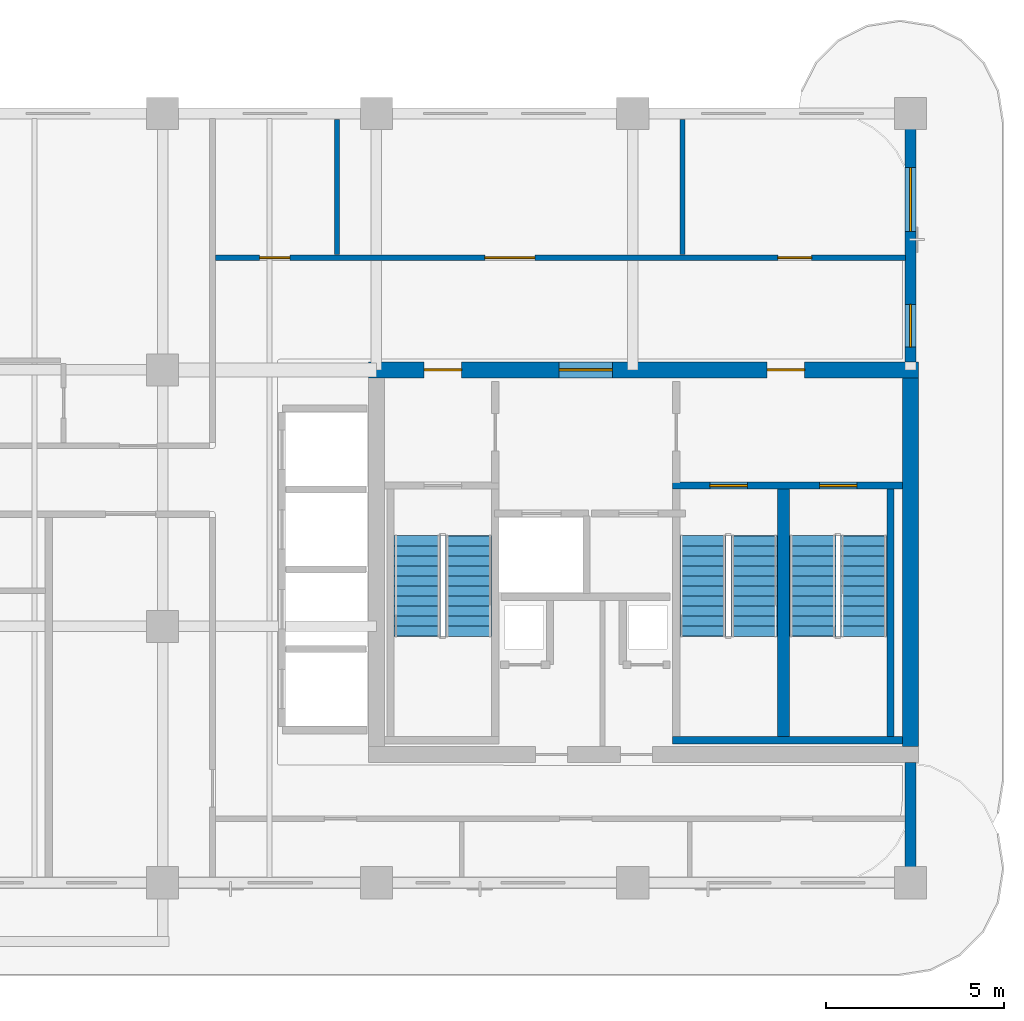
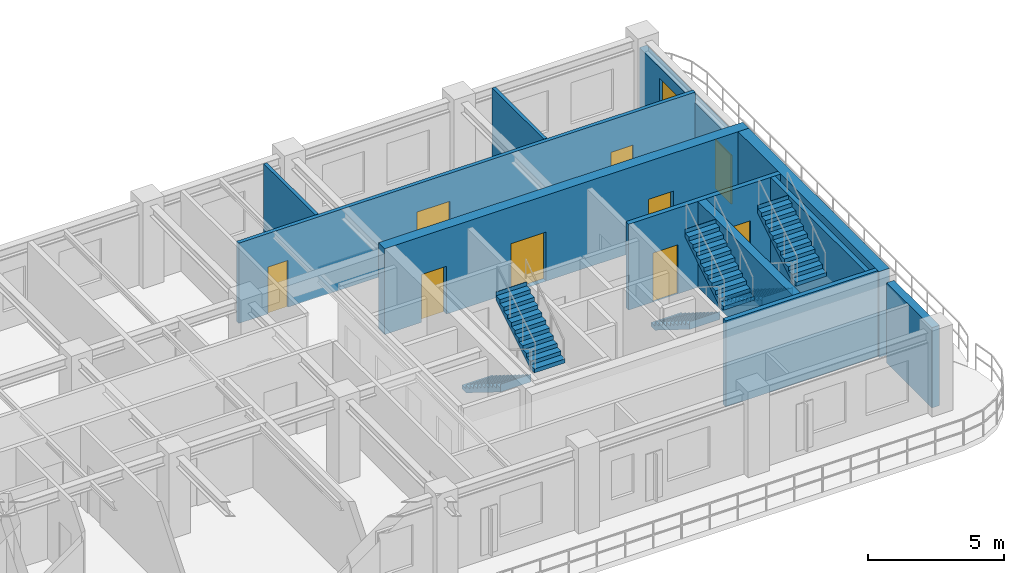
# One storey, part 5 of 7: 11 walls, 9 doors, 6 stair flights, 1 window, 10 openings, 3 elements without a shape of their own.
"""IFC4 building model written with IfcOpenShell, lengths in metres."""

from ifc_helpers import new_model, si_unit, derived_unit, direction, frame, frame_2d, origin, place, context, subcontext, project, spatial, polyline, rectangle, outline, extrude, source, transform, mapped, material, layer, layer_set, type_object, type_shapes, element, fill, aggregate, save


model = new_model("IFC4")

# Units and contexts
model_context = context("Model", 3, precision=1e-05, world=origin(), true_north=direction((0.0, 1.0)))
body_context = subcontext(model_context, "Body", "Model", "MODEL_VIEW")
ifc_project = project(units=[si_unit("LENGTHUNIT", "METRE"), si_unit("AREAUNIT", "SQUARE_METRE"), si_unit("VOLUMEUNIT", "CUBIC_METRE"), si_unit("PLANEANGLEUNIT", "RADIAN"), si_unit("MASSUNIT", "GRAM", prefix="KILO"), si_unit("THERMODYNAMICTEMPERATUREUNIT", "KELVIN"), si_unit("POWERUNIT", "WATT"), derived_unit("THERMALTRANSMITTANCEUNIT", [(si_unit("POWERUNIT", "WATT"), 1), (si_unit("AREAUNIT", "SQUARE_METRE"), -1), (si_unit("THERMODYNAMICTEMPERATUREUNIT", "KELVIN"), -1)])], contexts=[model_context])

# Site, building, storey
site_placement = place(None, origin())
site = spatial("IfcSite", under=ifc_project, at=site_placement, CompositionType="ELEMENT")
building_placement = place(site_placement, origin())
building = spatial("IfcBuilding", under=site, at=building_placement, Name="Zahravan Archway Hotel and Residences", CompositionType="ELEMENT")
storey_placement = place(building_placement, frame((0.0, 0.0, 240.39990234375)))
storey = spatial("IfcBuildingStorey", under=building, at=storey_placement, Name="L60", CompositionType="ELEMENT", Elevation=240.39990234375)

# Wall, openings, doors
ifc_material_1 = material(Name="Concrete C50/60", Category="concrete")
ifc_layer_1 = layer(ifc_material_1, 0.449951171875, Name="Concrete C50/60", Category="concrete")
ifc_layer_set_1 = layer_set([ifc_layer_1], Name="Concrete C50/60")
wall_type_1 = type_object("IfcWallType", Name="CW-CORE-450", PredefinedType="SHEAR", material=ifc_layer_set_1)
wall_1_placement = place(storey_placement, frame((34.574951171875, 14.39990234375, 0.0), z_axis=(0.0, 0.0, 1.0), x_axis=(1.0, 0.0, 0.0)))
wall_1 = element("IfcWall", 1, at=wall_1_placement, inside=storey, type_object=wall_type_1, Name="L60 Core A Shear N Wall 450 mm", PredefinedType="SHEAR", context=body_context, shape_type="SweptSolid", body=[
    extrude(rectangle(XDim=15.449951171875, YDim=0.449951171875, at=frame_2d((7.72509765625, 0.0))), origin(), (0.0, 0.0, 1.0), 3.85009765625),
])
opening_1_placement = place(wall_1_placement, frame((5.35498046875, 0.0, 0.0)))
opening_1 = element("IfcOpeningElement", 2, at=opening_1_placement, cuts=wall_1, Name="Opening FD-L1", PredefinedType="OPENING", context=body_context, shape_type="SweptSolid", body=[
    extrude(rectangle(XDim=1.5, YDim=2.199951171875, at=frame_2d((0.75, 1.10009765625))), frame((0.0, 0.23486328125, 0.0), z_axis=(0.0, -1.0, 0.0), x_axis=(1.0, 0.0, 0.0)), (0.0, 0.0, 1.0), 0.469970703125),
])
opening_2_placement = place(wall_1_placement, frame((1.570068359375, 0.0, 0.0)))
opening_2 = element("IfcOpeningElement", 3, at=opening_2_placement, cuts=wall_1, Name="Opening FD-L2", PredefinedType="OPENING", context=body_context, shape_type="SweptSolid", body=[
    extrude(rectangle(XDim=1.050048828125, YDim=2.14990234375, at=frame_2d((0.52490234375, 1.074951171875))), frame((0.0, 0.23486328125, 0.0), z_axis=(0.0, -1.0, 0.0), x_axis=(1.0, 0.0, 0.0)), (0.0, 0.0, 1.0), 0.469970703125),
])
opening_3_placement = place(wall_1_placement, frame((11.199951171875, 0.0, 0.0)))
opening_3 = element("IfcOpeningElement", 4, at=opening_3_placement, cuts=wall_1, Name="Opening FD-L2", PredefinedType="OPENING", context=body_context, shape_type="SweptSolid", body=[
    extrude(rectangle(XDim=1.050048828125, YDim=2.14990234375, at=frame_2d((0.52490234375, 1.074951171875))), frame((0.0, 0.23486328125, 0.0), z_axis=(0.0, -1.0, 0.0), x_axis=(1.0, 0.0, 0.0)), (0.0, 0.0, 1.0), 0.469970703125),
])
ifc_material_2 = material(Name="Fire-Rated Painted Steel", Category="steel")
door_type_1 = type_object("IfcDoorType", Name="FD-LOBBY-1100", OperationType="NOTDEFINED", PredefinedType="DOOR", material=ifc_material_2)
shared_shape_1 = source(origin(), body_context, "Body", "SweptSolid", [
    extrude(rectangle(XDim=1.050048828125, YDim=2.14990234375, at=frame_2d((0.52490234375, 1.074951171875))), frame((0.0, 0.02490234375, 0.0), z_axis=(0.0, -1.0, 0.0), x_axis=(1.0, 0.0, 0.0)), (0.0, 0.0, 1.0), 0.050048828125),
])
type_shapes(door_type_1, [shared_shape_1])
door_1_placement = place(opening_2_placement, origin())
door_1 = element("IfcDoor", 5, at=door_1_placement, inside=storey, type_object=door_type_1, Name="L60 Core A West Stair Lobby Door", OperationType="SINGLE_SWING_RIGHT", OverallHeight=2.14990234375, OverallWidth=1.050048828125, PredefinedType="DOOR", context=body_context, shape_type="MappedRepresentation", body=[
    mapped(shared_shape_1, transform((0.0, 0.0, 0.0), scale=1.0)),
])
fill(opening_2, door_1)
door_2_placement = place(opening_3_placement, origin())
door_2 = element("IfcDoor", 6, at=door_2_placement, inside=storey, type_object=door_type_1, Name="L60 Core A East Stair Lobby Door", OperationType="SINGLE_SWING_LEFT", OverallHeight=2.14990234375, OverallWidth=1.050048828125, PredefinedType="DOOR", context=body_context, shape_type="MappedRepresentation", body=[
    mapped(shared_shape_1, transform((0.0, 0.0, 0.0), scale=1.0)),
])
fill(opening_3, door_2)
door_type_2 = type_object("IfcDoorType", Name="FD-LOBBY-1500", OperationType="DOUBLE_DOOR_SINGLE_SWING", PredefinedType="DOOR", material=ifc_material_2)
shared_shape_2 = source(origin(), body_context, "Body", "SweptSolid", [
    extrude(rectangle(XDim=1.5, YDim=2.199951171875, at=frame_2d((0.75, 1.10009765625))), frame((0.0, 0.02490234375, 0.0), z_axis=(0.0, -1.0, 0.0), x_axis=(1.0, 0.0, 0.0)), (0.0, 0.0, 1.0), 0.050048828125),
])
type_shapes(door_type_2, [shared_shape_2])
door_3_placement = place(opening_1_placement, origin())
door_3 = element("IfcDoor", 7, at=door_3_placement, inside=storey, type_object=door_type_2, Name="L60 Core A FSAE Lobby Main Door", OperationType="DOUBLE_DOOR_SINGLE_SWING", OverallHeight=2.199951171875, OverallWidth=1.5, PredefinedType="DOOR", context=body_context, shape_type="MappedRepresentation", body=[
    mapped(shared_shape_2, transform((0.0, 0.0, 0.0), scale=1.0)),
])
fill(opening_1, door_3)

# Walls
wall_2_placement = place(storey_placement, frame((49.800048828125, 3.824951171875, 0.0), z_axis=(0.0, 0.0, 1.0), x_axis=(0.0, 1.0, 0.0)))
element("IfcWall", 8, at=wall_2_placement, inside=storey, type_object=wall_type_1, Name="L60 Core A Shear E Wall 450 mm", PredefinedType="SHEAR", context=body_context, shape_type="SweptSolid", body=[
    extrude(rectangle(XDim=10.35009765625, YDim=0.449951171875, at=frame_2d((5.175048828125, 0.0))), origin(), (0.0, 0.0, 1.0), 3.85009765625),
])
ifc_material_3 = material(Name="Agra Buff Sandstone & Insulated Backup", Category="masonry")
ifc_layer_2 = layer(ifc_material_3, 0.320068359375, Name="Agra Buff Sandstone & Insulated Backup", Category="masonry")
ifc_layer_set_2 = layer_set([ifc_layer_2], Name="Agra Buff Sandstone & Insulated Backup")
wall_type_2 = type_object("IfcWallType", Name="EW-SAND-320", PredefinedType="SOLIDWALL", material=ifc_layer_set_2)
wall_3_placement = place(storey_placement, frame((49.800048828125, 0.050048828125, 0.0), z_axis=(0.0, 0.0, 1.0), x_axis=(0.0, 1.0, 0.0)))
element("IfcWall", 9, at=wall_3_placement, inside=storey, type_object=wall_type_2, Name="L60 Exterior Sandstone Wall WA-ES", PredefinedType="SOLIDWALL", context=body_context, shape_type="SweptSolid", body=[
    extrude(rectangle(XDim=3.329833984375, YDim=0.320068359375, at=frame_2d((1.6650390625, 0.0))), origin(), (0.0, 0.0, 1.0), 3.60009765625),
])

# Wall, openings, door, window
wall_4_placement = place(storey_placement, frame((49.800048828125, 14.6201171875, 0.0), z_axis=(0.0, 0.0, 1.0), x_axis=(0.0, 1.0, 0.0)))
wall_4 = element("IfcWall", 10, at=wall_4_placement, inside=storey, type_object=wall_type_2, Name="L60 Exterior Sandstone Wall WA-EN", PredefinedType="SOLIDWALL", context=body_context, shape_type="SweptSolid", body=[
    extrude(rectangle(XDim=6.929931640625, YDim=0.320068359375, at=frame_2d((3.46484375, 0.0))), origin(), (0.0, 0.0, 1.0), 3.135009765625),
])
opening_4_placement = place(wall_4_placement, frame((0.419921875, 0.0, 0.0)))
opening_4 = element("IfcOpeningElement", 11, at=opening_4_placement, cuts=wall_4, Name="Opening ED-BL1", PredefinedType="OPENING", context=body_context, shape_type="SweptSolid", body=[
    extrude(rectangle(XDim=1.199951171875, YDim=2.199951171875, at=frame_2d((0.60009765625, 1.10009765625))), frame((0.0, 0.169921875, 0.0), z_axis=(0.0, -1.0, 0.0), x_axis=(1.0, 0.0, 0.0)), (0.0, 0.0, 1.0), 0.340087890625),
])
opening_5_placement = place(wall_4_placement, frame((3.658935546875, 0.0, 0.800048828125)))
opening_5 = element("IfcOpeningElement", 12, at=opening_5_placement, cuts=wall_4, Name="Opening W-02", PredefinedType="OPENING", context=body_context, shape_type="SweptSolid", body=[
    extrude(rectangle(XDim=1.800048828125, YDim=1.85009765625, at=frame_2d((0.89990234375, 0.925048828125))), frame((0.0, 0.169921875, 0.0), z_axis=(0.0, -1.0, 0.0), x_axis=(1.0, 0.0, 0.0)), (0.0, 0.0, 1.0), 0.340087890625),
])
ifc_material_4 = material(Name="Bronze-Anodized Glazed Aluminium", Category="aluminium")
door_type_3 = type_object("IfcDoorType", Name="ED-BALC-1200", OperationType="SLIDING_TO_LEFT", PredefinedType="DOOR", material=ifc_material_4)
shared_shape_3 = source(origin(), body_context, "Body", "SweptSolid", [
    extrude(rectangle(XDim=1.199951171875, YDim=2.199951171875, at=frame_2d((0.60009765625, 1.10009765625))), frame((0.0, 0.02490234375, 0.0), z_axis=(0.0, -1.0, 0.0), x_axis=(1.0, 0.0, 0.0)), (0.0, 0.0, 1.0), 0.050048828125),
])
type_shapes(door_type_3, [shared_shape_3])
door_4_placement = place(opening_4_placement, origin())
door_4 = element("IfcDoor", 13, at=door_4_placement, inside=storey, type_object=door_type_3, Name="L60 Outdoor Access Sliding Door (SLB-BAL-L60-EA)", OperationType="SLIDING_TO_LEFT", OverallHeight=2.199951171875, OverallWidth=1.199951171875, PredefinedType="DOOR", context=body_context, shape_type="MappedRepresentation", body=[
    mapped(shared_shape_3, transform((0.0, 0.0, 0.0), scale=1.0)),
])
fill(opening_4, door_4)
ifc_material_5 = material(Name="Bronze-Anodized Thermal-Break Aluminium & Low-E Glass", Category="aluminium")
window_type = type_object("IfcWindowType", Name="WIN-TWR-1800", PartitioningType="DOUBLE_PANEL_VERTICAL", PredefinedType="WINDOW", material=ifc_material_5)
shared_shape_4 = source(origin(), body_context, "Body", "SweptSolid", [
    extrude(rectangle(XDim=1.800048828125, YDim=1.85009765625, at=frame_2d((0.89990234375, 0.925048828125))), frame((0.0, 0.030029296875, 0.0), z_axis=(0.0, -1.0, 0.0), x_axis=(1.0, 0.0, 0.0)), (0.0, 0.0, 1.0), 0.06005859375),
])
type_shapes(window_type, [shared_shape_4])
window_placement = place(opening_5_placement, origin())
window = element("IfcWindow", 14, at=window_placement, inside=storey, type_object=window_type, Name="L60 Loggia Window 10", OverallHeight=1.85009765625, OverallWidth=1.800048828125, PartitioningType="DOUBLE_PANEL_VERTICAL", PredefinedType="WINDOW", context=body_context, shape_type="MappedRepresentation", body=[
    mapped(shared_shape_4, transform((0.0, 0.0, 0.0), scale=1.0)),
])
fill(opening_5, window)

# Wall, openings, doors
ifc_material_6 = material(Name="Fire-Rated Gypsum & Concrete Block", Category="concrete")
ifc_layer_3 = layer(ifc_material_6, 0.159912109375, Name="Fire-Rated Gypsum & Concrete Block", Category="concrete")
ifc_layer_set_3 = layer_set([ifc_layer_3], Name="Fire-Rated Gypsum & Concrete Block")
wall_type_3 = type_object("IfcWallType", Name="PW-CORR-160", PredefinedType="PARTITIONING", material=ifc_layer_set_3)
wall_5_placement = place(storey_placement, frame((30.2900390625, 17.550048828125, 0.0), z_axis=(0.0, 0.0, 1.0), x_axis=(1.0, 0.0, 0.0)))
wall_5 = element("IfcWall", 15, at=wall_5_placement, inside=storey, type_object=wall_type_3, Name="L60 Partition WA-FN", PredefinedType="PARTITIONING", context=body_context, shape_type="SweptSolid", body=[
    extrude(rectangle(XDim=19.369873046875, YDim=0.159912109375, at=frame_2d((9.68505859375, 0.0))), origin(), (0.0, 0.0, 1.0), 3.60009765625),
])
opening_6_placement = place(wall_5_placement, frame((1.235107421875, 0.0, 0.0)))
opening_6 = element("IfcOpeningElement", 16, at=opening_6_placement, cuts=wall_5, Name="Opening D-B1", PredefinedType="OPENING", context=body_context, shape_type="SweptSolid", body=[
    extrude(rectangle(XDim=0.85009765625, YDim=2.10009765625, at=frame_2d((0.425048828125, 1.050048828125))), frame((0.0, 0.08984375, 0.0), z_axis=(0.0, -1.0, 0.0), x_axis=(1.0, 0.0, 0.0)), (0.0, 0.0, 1.0), 0.179931640625),
])
opening_7_placement = place(wall_5_placement, frame((7.56005859375, 0.0, 0.0)))
opening_7 = element("IfcOpeningElement", 17, at=opening_7_placement, cuts=wall_5, Name="Opening D-P1", PredefinedType="OPENING", context=body_context, shape_type="SweptSolid", body=[
    extrude(rectangle(XDim=1.39990234375, YDim=2.35009765625, at=frame_2d((0.699951171875, 1.175048828125))), frame((0.0, 0.08984375, 0.0), z_axis=(0.0, -1.0, 0.0), x_axis=(1.0, 0.0, 0.0)), (0.0, 0.0, 1.0), 0.179931640625),
])
opening_8_placement = place(wall_5_placement, frame((15.784912109375, 0.0, 0.0)))
opening_8 = element("IfcOpeningElement", 18, at=opening_8_placement, cuts=wall_5, Name="Opening D-I1", PredefinedType="OPENING", context=body_context, shape_type="SweptSolid", body=[
    extrude(rectangle(XDim=0.949951171875, YDim=2.14990234375, at=frame_2d((0.47509765625, 1.074951171875))), frame((0.0, 0.08984375, 0.0), z_axis=(0.0, -1.0, 0.0), x_axis=(1.0, 0.0, 0.0)), (0.0, 0.0, 1.0), 0.179931640625),
])
ifc_material_7 = material(Name="Hardwood Veneer Timber", Category="wood")
door_type_4 = type_object("IfcDoorType", Name="ID-BATH-850", OperationType="NOTDEFINED", PredefinedType="DOOR", material=ifc_material_7)
shared_shape_5 = source(origin(), body_context, "Body", "SweptSolid", [
    extrude(rectangle(XDim=0.85009765625, YDim=2.10009765625, at=frame_2d((0.425048828125, 1.050048828125))), frame((0.0, 0.02490234375, 0.0), z_axis=(0.0, -1.0, 0.0), x_axis=(1.0, 0.0, 0.0)), (0.0, 0.0, 1.0), 0.050048828125),
])
type_shapes(door_type_4, [shared_shape_5])
door_5_placement = place(opening_6_placement, origin())
door_5 = element("IfcDoor", 19, at=door_5_placement, inside=storey, type_object=door_type_4, Name="L60 Accessible WC Door", OperationType="SINGLE_SWING_RIGHT", OverallHeight=2.10009765625, OverallWidth=0.85009765625, PredefinedType="DOOR", context=body_context, shape_type="MappedRepresentation", body=[
    mapped(shared_shape_5, transform((0.0, 0.0, 0.0), scale=1.0)),
])
fill(opening_6, door_5)
door_type_5 = type_object("IfcDoorType", Name="ID-PUBLIC-1400", OperationType="DOUBLE_DOOR_SINGLE_SWING", PredefinedType="DOOR", material=ifc_material_4)
shared_shape_6 = source(origin(), body_context, "Body", "SweptSolid", [
    extrude(rectangle(XDim=1.39990234375, YDim=2.35009765625, at=frame_2d((0.699951171875, 1.175048828125))), frame((0.0, 0.02490234375, 0.0), z_axis=(0.0, -1.0, 0.0), x_axis=(1.0, 0.0, 0.0)), (0.0, 0.0, 1.0), 0.050048828125),
])
type_shapes(door_type_5, [shared_shape_6])
door_6_placement = place(opening_7_placement, origin())
door_6 = element("IfcDoor", 20, at=door_6_placement, inside=storey, type_object=door_type_5, Name="L60 Private Dining Door", OperationType="DOUBLE_DOOR_SINGLE_SWING", OverallHeight=2.35009765625, OverallWidth=1.39990234375, PredefinedType="DOOR", context=body_context, shape_type="MappedRepresentation", body=[
    mapped(shared_shape_6, transform((0.0, 0.0, 0.0), scale=1.0)),
])
fill(opening_7, door_6)
door_type_6 = type_object("IfcDoorType", Name="ID-INT-950", OperationType="NOTDEFINED", PredefinedType="DOOR", material=ifc_material_7)
shared_shape_7 = source(origin(), body_context, "Body", "SweptSolid", [
    extrude(rectangle(XDim=0.949951171875, YDim=2.14990234375, at=frame_2d((0.47509765625, 1.074951171875))), frame((0.0, 0.02490234375, 0.0), z_axis=(0.0, -1.0, 0.0), x_axis=(1.0, 0.0, 0.0)), (0.0, 0.0, 1.0), 0.050048828125),
])
type_shapes(door_type_6, [shared_shape_7])
door_7_placement = place(opening_8_placement, origin())
door_7 = element("IfcDoor", 21, at=door_7_placement, inside=storey, type_object=door_type_6, Name="L60 Quiet Musalla Door", OperationType="SINGLE_SWING_LEFT", OverallHeight=2.14990234375, OverallWidth=0.949951171875, PredefinedType="DOOR", context=body_context, shape_type="MappedRepresentation", body=[
    mapped(shared_shape_7, transform((0.0, 0.0, 0.0), scale=1.0)),
])
fill(opening_8, door_7)

# Walls
ifc_material_8 = material(Name="Moisture-Resistant Blockwork", Category="masonry")
ifc_layer_4 = layer(ifc_material_8, 0.139892578125, Name="Moisture-Resistant Blockwork", Category="masonry")
ifc_layer_set_4 = layer_set([ifc_layer_4], Name="Moisture-Resistant Blockwork")
wall_type_4 = type_object("IfcWallType", Name="PW-WET-140", PredefinedType="PARTITIONING", material=ifc_layer_set_4)
for number, where, z_axis, x_axis, name in (
    (22, (33.699951171875, 17.639892578125, 0.0), (0.0, 0.0, 1.0), (0.0, 1.0, 0.0), "L60 Partition NE3-1"),
    (23, (43.39990234375, 17.639892578125, 0.0), (0.0, 0.0, 1.0), (0.0, 1.0, 0.0), "L60 Partition NE3-2"),
):
    element("IfcWall", number, at=place(storey_placement, frame(where, z_axis=z_axis, x_axis=x_axis)), inside=storey, type_object=wall_type_4, Name=name, PredefinedType="PARTITIONING", context=body_context, shape_type="SweptSolid", body=[
        extrude(rectangle(XDim=3.7919921875, YDim=0.139892578125, at=frame_2d((1.89599609375, 0.0))), origin(), (0.0, 0.0, 1.0), 3.60009765625),
    ])
ifc_layer_5 = layer(ifc_material_1, 0.199951171875, Name="Concrete C50/60", Category="concrete")
ifc_layer_set_5 = layer_set([ifc_layer_5], Name="Concrete C50/60")
wall_type_5 = type_object("IfcWallType", Name="SW-STAIR-200", PredefinedType="SHEAR", material=ifc_layer_set_5)
wall_6_placement = place(storey_placement, frame((43.1201171875, 4.0, 0.0), z_axis=(0.0, 0.0, 1.0), x_axis=(1.0, 0.0, 0.0)))
element("IfcWall", 24, at=wall_6_placement, inside=storey, type_object=wall_type_5, Name="L60 Stairwell RC Wall CA-SA23S", PredefinedType="SHEAR", context=body_context, shape_type="SweptSolid", body=[
    extrude(rectangle(XDim=6.454833984375, YDim=0.199951171875, at=frame_2d((3.2275390625, 0.0))), origin(), (0.0, 0.0, 1.0), 3.85009765625),
])
wall_7_placement = place(storey_placement, frame((49.239990234375, 4.10009765625, 0.0), z_axis=(0.0, 0.0, 1.0), x_axis=(0.0, 1.0, 0.0)))
element("IfcWall", 25, at=wall_7_placement, inside=storey, type_object=wall_type_5, Name="L60 Stairwell RC Wall CA-SA3E", PredefinedType="SHEAR", context=body_context, shape_type="SweptSolid", body=[
    extrude(rectangle(XDim=6.949951171875, YDim=0.199951171875, at=frame_2d((3.47509765625, 0.0))), origin(), (0.0, 0.0, 1.0), 3.85009765625),
])

# Wall, openings, doors
wall_8_placement = place(storey_placement, frame((43.1201171875, 11.14990234375, 0.0), z_axis=(0.0, 0.0, 1.0), x_axis=(1.0, 0.0, 0.0)))
wall_8 = element("IfcWall", 26, at=wall_8_placement, inside=storey, type_object=wall_type_5, Name="L60 Stairwell RC Wall CA-SA23N", PredefinedType="SHEAR", context=body_context, shape_type="SweptSolid", body=[
    extrude(rectangle(XDim=6.454833984375, YDim=0.199951171875, at=frame_2d((3.2275390625, 0.0))), origin(), (0.0, 0.0, 1.0), 3.85009765625),
])
opening_9_placement = place(wall_8_placement, frame((1.044921875, 0.0, 0.0)))
opening_9 = element("IfcOpeningElement", 27, at=opening_9_placement, cuts=wall_8, Name="Opening FD-S1", PredefinedType="OPENING", context=body_context, shape_type="SweptSolid", body=[
    extrude(rectangle(XDim=1.050048828125, YDim=2.199951171875, at=frame_2d((0.52490234375, 1.10009765625))), frame((0.0, 0.10986328125, 0.0), z_axis=(0.0, -1.0, 0.0), x_axis=(1.0, 0.0, 0.0)), (0.0, 0.0, 1.0), 0.219970703125),
])
opening_10_placement = place(wall_8_placement, frame((4.125, 0.0, 0.0)))
opening_10 = element("IfcOpeningElement", 28, at=opening_10_placement, cuts=wall_8, Name="Opening FD-S1", PredefinedType="OPENING", context=body_context, shape_type="SweptSolid", body=[
    extrude(rectangle(XDim=1.050048828125, YDim=2.199951171875, at=frame_2d((0.52490234375, 1.10009765625))), frame((0.0, 0.10986328125, 0.0), z_axis=(0.0, -1.0, 0.0), x_axis=(1.0, 0.0, 0.0)), (0.0, 0.0, 1.0), 0.219970703125),
])
door_type_7 = type_object("IfcDoorType", Name="FD-STAIR-1100", OperationType="NOTDEFINED", PredefinedType="DOOR", material=ifc_material_2)
shared_shape_8 = source(origin(), body_context, "Body", "SweptSolid", [
    extrude(rectangle(XDim=1.050048828125, YDim=2.199951171875, at=frame_2d((0.52490234375, 1.10009765625))), frame((0.0, 0.02490234375, 0.0), z_axis=(0.0, -1.0, 0.0), x_axis=(1.0, 0.0, 0.0)), (0.0, 0.0, 1.0), 0.050048828125),
])
type_shapes(door_type_7, [shared_shape_8])
door_8_placement = place(opening_9_placement, origin())
door_8 = element("IfcDoor", 29, at=door_8_placement, inside=storey, type_object=door_type_7, Name="L60 Stair ST-A2 Door", OperationType="SINGLE_SWING_RIGHT", OverallHeight=2.199951171875, OverallWidth=1.050048828125, PredefinedType="DOOR", context=body_context, shape_type="MappedRepresentation", body=[
    mapped(shared_shape_8, transform((0.0, 0.0, 0.0), scale=1.0)),
])
fill(opening_9, door_8)
door_9_placement = place(opening_10_placement, origin())
door_9 = element("IfcDoor", 30, at=door_9_placement, inside=storey, type_object=door_type_7, Name="L60 Stair ST-A3 Door", OperationType="SINGLE_SWING_LEFT", OverallHeight=2.199951171875, OverallWidth=1.050048828125, PredefinedType="DOOR", context=body_context, shape_type="MappedRepresentation", body=[
    mapped(shared_shape_8, transform((0.0, 0.0, 0.0), scale=1.0)),
])
fill(opening_10, door_9)

# Wall
ifc_layer_6 = layer(ifc_material_1, 0.340087890625, Name="Concrete C50/60", Category="concrete")
ifc_layer_set_6 = layer_set([ifc_layer_6], Name="Concrete C50/60")
wall_type_6 = type_object("IfcWallType", Name="SW-STAIR-340", PredefinedType="SHEAR", material=ifc_layer_set_6)
wall_9_placement = place(storey_placement, frame((46.22998046875, 4.10009765625, 0.0), z_axis=(0.0, 0.0, 1.0), x_axis=(0.0, 1.0, 0.0)))
element("IfcWall", 31, at=wall_9_placement, inside=storey, type_object=wall_type_6, Name="L60 Stairwell RC Wall CA-SA23M", PredefinedType="SHEAR", context=body_context, shape_type="SweptSolid", body=[
    extrude(rectangle(XDim=6.949951171875, YDim=0.340087890625, at=frame_2d((3.47509765625, 0.0))), origin(), (0.0, 0.0, 1.0), 3.85009765625),
])

# Stair, stair flights
stair_type = type_object("IfcStairType", Name="STR-CORE-1300", PredefinedType="HALF_TURN_STAIR", material=ifc_material_1)
stair_1_placement = place(storey_placement, origin())
stair_1 = element("IfcStair", 32, at=stair_1_placement, inside=storey, type_object=stair_type, Name="L60 Core A Exit Stair 1", PredefinedType="HALF_TURN_STAIR")
ifc_layer_7 = layer(ifc_material_1, 0.199951171875, Name="Concrete C50/60", Category="concrete")
ifc_layer_set_7 = layer_set([ifc_layer_7], Name="Concrete C50/60")
stair_flight_type = type_object("IfcStairFlightType", Name="SFL-CORE-1300", PredefinedType="STRAIGHT", material=ifc_layer_set_7)
shared_shape_9 = source(origin(), body_context, "Body", "SweptSolid", [
    extrude(outline(polyline([(-0.01611328125, 0.0), (-0.01611328125, 0.175048828125), (0.280029296875, 0.175048828125), (0.280029296875, 0.35009765625), (0.56005859375, 0.35009765625), (0.56005859375, 0.52490234375), (0.840087890625, 0.52490234375), (0.840087890625, 0.699951171875), (1.1201171875, 0.699951171875), (1.1201171875, 0.875), (1.39990234375, 0.875), (1.39990234375, 1.050048828125), (1.679931640625, 1.050048828125), (1.679931640625, 1.22509765625), (1.9599609375, 1.22509765625), (1.9599609375, 1.39990234375), (2.239990234375, 1.39990234375), (2.239990234375, 1.574951171875), (2.52001953125, 1.574951171875), (2.52001953125, 1.75), (2.800048828125, 1.75), (2.800048828125, 1.925048828125), (2.816162109375, 1.925048828125), (2.816162109375, 1.5732421875), (0.28271484375, 0.0), (-0.01611328125, 0.0)])), frame((0.0, 0.64990234375, 0.0), z_axis=(0.0, -1.0, 0.0), x_axis=(1.0, 0.0, 0.0)), (0.0, 0.0, 1.0), 1.300048828125),
])
stair_flight_1_placement = place(storey_placement, frame((35.949951171875, 9.72998046875, 0.0), z_axis=(0.0, 0.0, 1.0), x_axis=(0.0, -1.0, 0.0)))
stair_flight_1 = element("IfcStairFlight", 33, at=stair_flight_1_placement, type_object=stair_flight_type, Name="ST-A1 flight 1", NumberOfRisers=11, NumberOfTreads=10, PredefinedType="STRAIGHT", RiserHeight=0.175, TreadLength=0.28, context=body_context, shape_type="MappedRepresentation", body=[
    mapped(shared_shape_9, transform((0.0, 0.0, 0.0), scale=1.0)),
])
stair_flight_2_placement = place(storey_placement, frame((37.389892578125, 6.929931640625, 1.925048828125), z_axis=(0.0, 0.0, 1.0), x_axis=(0.0, 1.0, 0.0)))
stair_flight_2 = element("IfcStairFlight", 34, at=stair_flight_2_placement, type_object=stair_flight_type, Name="ST-A1 flight 2", NumberOfRisers=11, NumberOfTreads=10, PredefinedType="STRAIGHT", RiserHeight=0.175, TreadLength=0.28, context=body_context, shape_type="MappedRepresentation", body=[
    mapped(shared_shape_9, transform((0.0, 0.0, 0.0), scale=1.0)),
])
aggregate(stair_1, [stair_flight_1, stair_flight_2])

stair_2_placement = place(storey_placement, origin())
stair_2 = element("IfcStair", 35, at=stair_2_placement, inside=storey, type_object=stair_type, Name="L60 Core A Exit Stair 2", PredefinedType="HALF_TURN_STAIR")
stair_flight_3_placement = place(storey_placement, frame((43.969970703125, 9.72998046875, 0.0), z_axis=(0.0, 0.0, 1.0), x_axis=(0.0, -1.0, 0.0)))
stair_flight_3 = element("IfcStairFlight", 36, at=stair_flight_3_placement, type_object=stair_flight_type, Name="ST-A2 flight 1", NumberOfRisers=11, NumberOfTreads=10, PredefinedType="STRAIGHT", RiserHeight=0.175, TreadLength=0.28, context=body_context, shape_type="MappedRepresentation", body=[
    mapped(shared_shape_9, transform((0.0, 0.0, 0.0), scale=1.0)),
])
stair_flight_4_placement = place(storey_placement, frame((45.409912109375, 6.929931640625, 1.925048828125), z_axis=(0.0, 0.0, 1.0), x_axis=(0.0, 1.0, 0.0)))
stair_flight_4 = element("IfcStairFlight", 37, at=stair_flight_4_placement, type_object=stair_flight_type, Name="ST-A2 flight 2", NumberOfRisers=11, NumberOfTreads=10, PredefinedType="STRAIGHT", RiserHeight=0.175, TreadLength=0.28, context=body_context, shape_type="MappedRepresentation", body=[
    mapped(shared_shape_9, transform((0.0, 0.0, 0.0), scale=1.0)),
])
aggregate(stair_2, [stair_flight_3, stair_flight_4])

stair_3_placement = place(storey_placement, origin())
stair_3 = element("IfcStair", 38, at=stair_3_placement, inside=storey, type_object=stair_type, Name="L60 Core A Exit Stair 3", PredefinedType="HALF_TURN_STAIR")
stair_flight_5_placement = place(storey_placement, frame((47.050048828125, 9.72998046875, 0.0), z_axis=(0.0, 0.0, 1.0), x_axis=(0.0, -1.0, 0.0)))
stair_flight_5 = element("IfcStairFlight", 39, at=stair_flight_5_placement, type_object=stair_flight_type, Name="ST-A3 flight 1", NumberOfRisers=11, NumberOfTreads=10, PredefinedType="STRAIGHT", RiserHeight=0.175, TreadLength=0.28, context=body_context, shape_type="MappedRepresentation", body=[
    mapped(shared_shape_9, transform((0.0, 0.0, 0.0), scale=1.0)),
])
stair_flight_6_placement = place(storey_placement, frame((48.489990234375, 6.929931640625, 1.925048828125), z_axis=(0.0, 0.0, 1.0), x_axis=(0.0, 1.0, 0.0)))
stair_flight_6 = element("IfcStairFlight", 40, at=stair_flight_6_placement, type_object=stair_flight_type, Name="ST-A3 flight 2", NumberOfRisers=11, NumberOfTreads=10, PredefinedType="STRAIGHT", RiserHeight=0.175, TreadLength=0.28, context=body_context, shape_type="MappedRepresentation", body=[
    mapped(shared_shape_9, transform((0.0, 0.0, 0.0), scale=1.0)),
])
aggregate(stair_3, [stair_flight_5, stair_flight_6])

save(model, "model.ifc")
